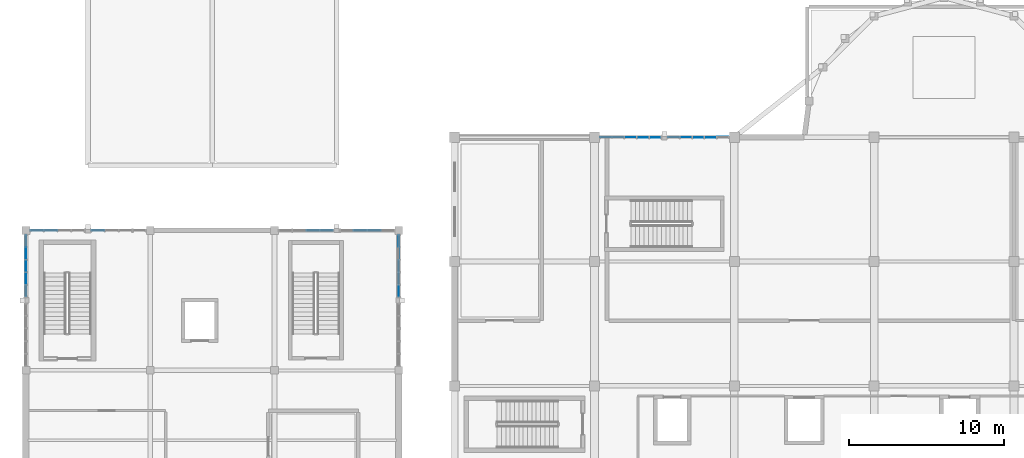
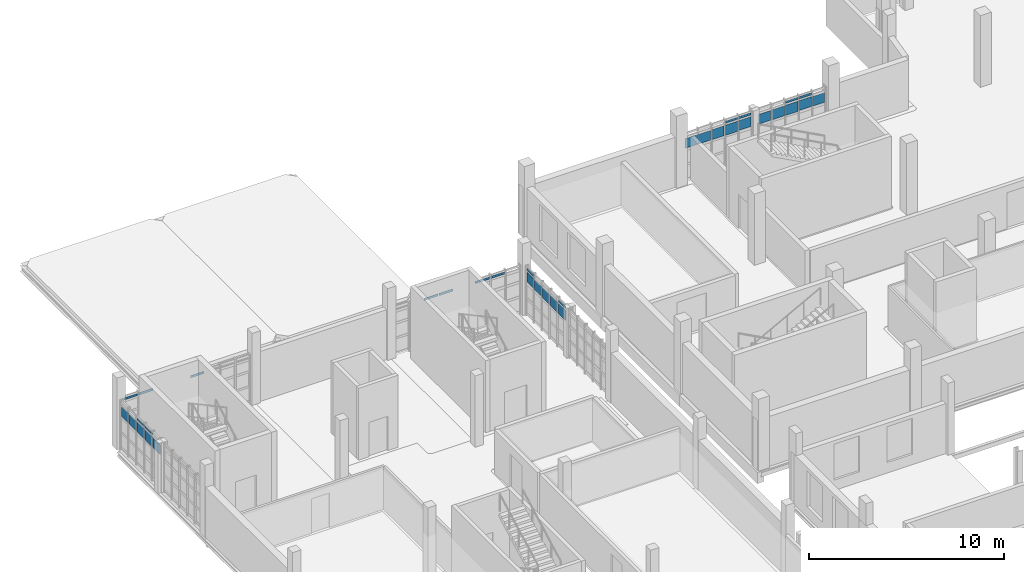
# One storey, part 97 of 125: 35 plates, 8 elements without a shape of their own.
"""IFC4 building model written with IfcOpenShell, lengths in metres."""

from ifc_helpers import new_model, si_unit, direction, frame, origin, origin_2d, place, context, subcontext, project, spatial, rectangle, extrude, material, layer, layer_set, type_object, element, aggregate, save


model = new_model("IFC4")

# Units and contexts
model_context = context("Model", 3, precision=1e-05, world=origin(), true_north=direction((0.0, 1.0)))
body_context = subcontext(model_context, "Body", "Model", "MODEL_VIEW")
ifc_project = project(units=[si_unit("LENGTHUNIT", "METRE"), si_unit("AREAUNIT", "SQUARE_METRE"), si_unit("VOLUMEUNIT", "CUBIC_METRE"), si_unit("PLANEANGLEUNIT", "RADIAN"), si_unit("MASSUNIT", "GRAM", prefix="KILO")], contexts=[model_context])

# Site, building, storey
site_placement = place(None, origin())
site = spatial("IfcSite", under=ifc_project, at=site_placement, CompositionType="ELEMENT")
building_placement = place(site_placement, origin())
building = spatial("IfcBuilding", under=site, at=building_placement, Name="Serraforn Aerial Cableway Station", CompositionType="ELEMENT")
storey_placement = place(building_placement, frame((0.0, 0.0, 4.5)))
storey = spatial("IfcBuildingStorey", under=building, at=storey_placement, Name="L01", CompositionType="ELEMENT", Elevation=4.5)

# Curtain wall, plates
ifc_material_1 = material(Name="Anodised bronze unitised curtain wall")
curtain_wall_type_1 = type_object("IfcCurtainWallType", Name="CW-SYS-19", PredefinedType="USERDEFINED", material=ifc_material_1)
curtain_wall_1_placement = place(storey_placement, origin())
curtain_wall_1 = element("IfcCurtainWall", 1, at=curtain_wall_1_placement, inside=storey, type_object=curtain_wall_type_1, Name="Unitised Curtain Wall CW-W-L01-W4A", ObjectType="UNITISED CURTAIN WALL", PredefinedType="USERDEFINED")
ifc_material_2 = material(Name="Solar-control low-E double glazing", Category="glass")
ifc_layer_1 = layer(ifc_material_2, 0.02587890625)
ifc_layer_set_1 = layer_set([ifc_layer_1], Name="Solar-control low-E double glazing")
plate_type_1 = type_object("IfcPlateType", Name="CW-GLZ-1", PredefinedType="CURTAIN_PANEL", material=ifc_layer_set_1)
plate_1_placement = place(storey_placement, frame((0.0, 33.71728515625, 2.798583984375), z_axis=(0.0, 0.0, 1.0), x_axis=(1.0, 0.0, 0.0)))
plate_1 = element("IfcPlate", 2, at=plate_1_placement, type_object=plate_type_1, Name="Curtain Wall Panel CW-W-L01-W4A-P3-4", PredefinedType="CURTAIN_PANEL", context=body_context, shape_type="SweptSolid", body=[
    extrude(rectangle(XDim=0.02587890625, YDim=0.755859375, at=origin_2d()), origin(), (0.0, 0.0, 1.0), 0.138671875),
])
plate_2_placement = place(storey_placement, frame((0.0, 32.90283203125, 2.0498046875), z_axis=(0.0, 0.0, 1.0), x_axis=(1.0, 0.0, 0.0)))
plate_2 = element("IfcPlate", 3, at=plate_2_placement, type_object=plate_type_1, Name="Curtain Wall Panel CW-W-L01-W4A-P4-3", PredefinedType="CURTAIN_PANEL", context=body_context, shape_type="SweptSolid", body=[
    extrude(rectangle(XDim=0.02587890625, YDim=0.7509765625, at=origin_2d()), origin(), (0.0, 0.0, 1.0), 0.6376953125),
])

# Curtain wall, plate
curtain_wall_type_2 = type_object("IfcCurtainWallType", Name="CW-SYS-22", PredefinedType="USERDEFINED", material=ifc_material_1)
curtain_wall_2_placement = place(storey_placement, origin())
curtain_wall_2 = element("IfcCurtainWall", 4, at=curtain_wall_2_placement, inside=storey, type_object=curtain_wall_type_2, Name="Unitised Curtain Wall CW-W-L01-E4B", ObjectType="UNITISED CURTAIN WALL", PredefinedType="USERDEFINED")
plate_3_placement = place(storey_placement, frame((24.0, 32.102294921875, 2.0498046875), z_axis=(0.0, 0.0, 1.0), x_axis=(1.0, 0.0, 0.0)))
plate_3 = element("IfcPlate", 5, at=plate_3_placement, type_object=plate_type_1, Name="Curtain Wall Panel CW-W-L01-E4B-P1-3", PredefinedType="CURTAIN_PANEL", context=body_context, shape_type="SweptSolid", body=[
    extrude(rectangle(XDim=0.02587890625, YDim=0.718505859375, at=origin_2d()), origin(), (0.0, 0.0, 1.0), 0.6376953125),
])

# Curtain wall, plates
curtain_wall_3_placement = place(storey_placement, origin())
curtain_wall_3 = element("IfcCurtainWall", 6, at=curtain_wall_3_placement, inside=storey, type_object=curtain_wall_type_1, Name="Unitised Curtain Wall CW-CV-L01-N2A", ObjectType="UNITISED CURTAIN WALL", PredefinedType="USERDEFINED")
plate_4_placement = place(storey_placement, frame((43.27978515625, 42.0, 2.8037109375), z_axis=(0.0, 0.0, 1.0), x_axis=(1.0, 0.0, 0.0)))
plate_4 = element("IfcPlate", 7, at=plate_4_placement, type_object=plate_type_1, Name="Curtain Wall Panel CW-CV-L01-N2A-P3-4", PredefinedType="CURTAIN_PANEL", context=body_context, shape_type="SweptSolid", body=[
    extrude(rectangle(XDim=0.73583984375, YDim=0.02587890625, at=origin_2d()), origin(), (0.0, 0.0, 1.0), 0.126220703125),
])
plate_5_placement = place(storey_placement, frame((42.48046875, 42.0, 2.0546875), z_axis=(0.0, 0.0, 1.0), x_axis=(1.0, 0.0, 0.0)))
plate_5 = element("IfcPlate", 8, at=plate_5_placement, type_object=plate_type_1, Name="Curtain Wall Panel CW-CV-L01-N2A-P4-3", PredefinedType="CURTAIN_PANEL", context=body_context, shape_type="SweptSolid", body=[
    extrude(rectangle(XDim=0.73095703125, YDim=0.02587890625, at=origin_2d()), origin(), (0.0, 0.0, 1.0), 0.625244140625),
])

curtain_wall_type_3 = type_object("IfcCurtainWallType", Name="CW-SYS-20", PredefinedType="USERDEFINED", material=ifc_material_1)
curtain_wall_4_placement = place(storey_placement, origin())
curtain_wall_4 = element("IfcCurtainWall", 9, at=curtain_wall_4_placement, inside=storey, type_object=curtain_wall_type_3, Name="Unitised Curtain Wall CW-CV-L01-N2B", ObjectType="UNITISED CURTAIN WALL", PredefinedType="USERDEFINED")
plate_6_placement = place(storey_placement, frame((39.72216796875, 42.0, 2.8037109375), z_axis=(0.0, 0.0, 1.0), x_axis=(1.0, 0.0, 0.0)))
plate_6 = element("IfcPlate", 10, at=plate_6_placement, type_object=plate_type_1, Name="Curtain Wall Panel CW-CV-L01-N2B-P2-4", PredefinedType="CURTAIN_PANEL", context=body_context, shape_type="SweptSolid", body=[
    extrude(rectangle(XDim=0.73583984375, YDim=0.02587890625, at=origin_2d()), origin(), (0.0, 0.0, 1.0), 0.126220703125),
])
plate_7_placement = place(storey_placement, frame((38.9228515625, 42.0, 2.0546875), z_axis=(0.0, 0.0, 1.0), x_axis=(1.0, 0.0, 0.0)))
plate_7 = element("IfcPlate", 11, at=plate_7_placement, type_object=plate_type_1, Name="Curtain Wall Panel CW-CV-L01-N2B-P3-3", PredefinedType="CURTAIN_PANEL", context=body_context, shape_type="SweptSolid", body=[
    extrude(rectangle(XDim=0.73095703125, YDim=0.02587890625, at=origin_2d()), origin(), (0.0, 0.0, 1.0), 0.625244140625),
])

# Plate
ifc_layer_2 = layer(ifc_material_2, 0.028076171875)
ifc_layer_set_2 = layer_set([ifc_layer_2], Name="Solar-control low-E double glazing")
plate_type_2 = type_object("IfcPlateType", Name="CW-GLZ-2", PredefinedType="CURTAIN_PANEL", material=ifc_layer_set_2)
plate_8_placement = place(storey_placement, frame((0.0, 32.90283203125, 2.8037109375), z_axis=(0.0, 0.0, 1.0), x_axis=(1.0, 0.0, 0.0)))
plate_8 = element("IfcPlate", 12, at=plate_8_placement, type_object=plate_type_2, Name="Curtain Wall Panel CW-W-L01-W4A-P4-4", PredefinedType="CURTAIN_PANEL", context=body_context, shape_type="SweptSolid", body=[
    extrude(rectangle(XDim=0.028076171875, YDim=0.7509765625, at=origin_2d()), origin(), (0.0, 0.0, 1.0), 0.126220703125),
])

plate_9_placement = place(storey_placement, frame((0.0, 32.107177734375, 2.0546875), z_axis=(0.0, 0.0, 1.0), x_axis=(1.0, 0.0, 0.0)))
plate_9 = element("IfcPlate", 13, at=plate_9_placement, type_object=plate_type_2, Name="Curtain Wall Panel CW-W-L01-W4A-P5-3", PredefinedType="CURTAIN_PANEL", context=body_context, shape_type="SweptSolid", body=[
    extrude(rectangle(XDim=0.028076171875, YDim=0.70849609375, at=origin_2d()), origin(), (0.0, 0.0, 1.0), 0.625244140625),
])

plate_10_placement = place(storey_placement, frame((24.0, 32.102294921875, 2.8037109375), z_axis=(0.0, 0.0, 1.0), x_axis=(1.0, 0.0, 0.0)))
plate_10 = element("IfcPlate", 14, at=plate_10_placement, type_object=plate_type_2, Name="Curtain Wall Panel CW-W-L01-E4B-P1-4", PredefinedType="CURTAIN_PANEL", context=body_context, shape_type="SweptSolid", body=[
    extrude(rectangle(XDim=0.028076171875, YDim=0.718505859375, at=origin_2d()), origin(), (0.0, 0.0, 1.0), 0.126220703125),
])

plate_11_placement = place(storey_placement, frame((24.0, 32.900390625, 2.0546875), z_axis=(0.0, 0.0, 1.0), x_axis=(1.0, 0.0, 0.0)))
plate_11 = element("IfcPlate", 15, at=plate_11_placement, type_object=plate_type_2, Name="Curtain Wall Panel CW-W-L01-E4B-P2-3", PredefinedType="CURTAIN_PANEL", context=body_context, shape_type="SweptSolid", body=[
    extrude(rectangle(XDim=0.028076171875, YDim=0.745849609375, at=origin_2d()), origin(), (0.0, 0.0, 1.0), 0.625244140625),
])

plate_12_placement = place(storey_placement, frame((41.6884765625, 42.0, 2.062255859375), z_axis=(0.0, 0.0, 1.0), x_axis=(1.0, 0.0, 0.0)))
plate_12 = element("IfcPlate", 16, at=plate_12_placement, type_object=plate_type_2, Name="Curtain Wall Panel CW-CV-L01-N2A-P5-3", PredefinedType="CURTAIN_PANEL", context=body_context, shape_type="SweptSolid", body=[
    extrude(rectangle(XDim=0.7109375, YDim=0.028076171875, at=origin_2d()), origin(), (0.0, 0.0, 1.0), 0.6103515625),
])

plate_13_placement = place(storey_placement, frame((38.1171875, 42.0, 2.062255859375), z_axis=(0.0, 0.0, 1.0), x_axis=(1.0, 0.0, 0.0)))
plate_13 = element("IfcPlate", 17, at=plate_13_placement, type_object=plate_type_2, Name="Curtain Wall Panel CW-CV-L01-N2B-P4-3", PredefinedType="CURTAIN_PANEL", context=body_context, shape_type="SweptSolid", body=[
    extrude(rectangle(XDim=0.73828125, YDim=0.028076171875, at=origin_2d()), origin(), (0.0, 0.0, 1.0), 0.6103515625),
])

ifc_layer_3 = layer(ifc_material_2, 0.030029296875)
ifc_layer_set_3 = layer_set([ifc_layer_3], Name="Solar-control low-E double glazing")
plate_type_3 = type_object("IfcPlateType", Name="CW-GLZ-3", PredefinedType="CURTAIN_PANEL", material=ifc_layer_set_3)
plate_14_placement = place(storey_placement, frame((24.0, 33.720947265625, 2.062255859375), z_axis=(0.0, 0.0, 1.0), x_axis=(1.0, 0.0, 0.0)))
plate_14 = element("IfcPlate", 18, at=plate_14_placement, type_object=plate_type_3, Name="Curtain Wall Panel CW-W-L01-E4B-P3-3", PredefinedType="CURTAIN_PANEL", context=body_context, shape_type="SweptSolid", body=[
    extrude(rectangle(XDim=0.030029296875, YDim=0.75341796875, at=origin_2d()), origin(), (0.0, 0.0, 1.0), 0.6103515625),
])

plate_15_placement = place(storey_placement, frame((37.339111328125, 42.0, 2.06982421875), z_axis=(0.0, 0.0, 1.0), x_axis=(1.0, 0.0, 0.0)))
plate_15 = element("IfcPlate", 19, at=plate_15_placement, type_object=plate_type_3, Name="Curtain Wall Panel CW-CV-L01-N2B-P5-3", PredefinedType="CURTAIN_PANEL", context=body_context, shape_type="SweptSolid", body=[
    extrude(rectangle(XDim=0.7158203125, YDim=0.030029296875, at=origin_2d()), origin(), (0.0, 0.0, 1.0), 0.59521484375),
])

# Curtain wall, plate
curtain_wall_type_4 = type_object("IfcCurtainWallType", Name="CW-SYS-13", PredefinedType="USERDEFINED", material=ifc_material_1)
curtain_wall_5_placement = place(storey_placement, origin())
curtain_wall_5 = element("IfcCurtainWall", 20, at=curtain_wall_5_placement, inside=storey, type_object=curtain_wall_type_4, Name="Unitised Curtain Wall CW-W-L01-N1A", ObjectType="UNITISED CURTAIN WALL", PredefinedType="USERDEFINED")
ifc_layer_4 = layer(ifc_material_2, 0.031982421875)
ifc_layer_set_4 = layer_set([ifc_layer_4], Name="Solar-control low-E double glazing")
plate_type_4 = type_object("IfcPlateType", Name="CW-GLZ-4", PredefinedType="CURTAIN_PANEL", material=ifc_layer_set_4)
plate_16_placement = place(storey_placement, frame((4.64404296875, 36.0, 2.798583984375), z_axis=(0.0, 0.0, 1.0), x_axis=(1.0, 0.0, 0.0)))
plate_16 = element("IfcPlate", 21, at=plate_16_placement, type_object=plate_type_4, Name="Curtain Wall Panel CW-W-L01-N1A-P4-4", PredefinedType="CURTAIN_PANEL", context=body_context, shape_type="SweptSolid", body=[
    extrude(rectangle(XDim=0.802001953125, YDim=0.031982421875, at=origin_2d()), origin(), (0.0, 0.0, 1.0), 0.138671875),
])
aggregate(curtain_wall_5, [plate_16])

curtain_wall_type_5 = type_object("IfcCurtainWallType", Name="CW-SYS-14", PredefinedType="USERDEFINED", material=ifc_material_1)
curtain_wall_6_placement = place(storey_placement, origin())
curtain_wall_6 = element("IfcCurtainWall", 22, at=curtain_wall_6_placement, inside=storey, type_object=curtain_wall_type_5, Name="Unitised Curtain Wall CW-W-L01-N1B", ObjectType="UNITISED CURTAIN WALL", PredefinedType="USERDEFINED")
plate_17_placement = place(storey_placement, frame((1.588623046875, 36.0, 2.798583984375), z_axis=(0.0, 0.0, 1.0), x_axis=(1.0, 0.0, 0.0)))
plate_17 = element("IfcPlate", 23, at=plate_17_placement, type_object=plate_type_4, Name="Curtain Wall Panel CW-W-L01-N1B-P3-4", PredefinedType="CURTAIN_PANEL", context=body_context, shape_type="SweptSolid", body=[
    extrude(rectangle(XDim=0.83447265625, YDim=0.031982421875, at=origin_2d()), origin(), (0.0, 0.0, 1.0), 0.138671875),
])

curtain_wall_type_6 = type_object("IfcCurtainWallType", Name="CW-SYS-15", PredefinedType="USERDEFINED", material=ifc_material_1)
curtain_wall_7_placement = place(storey_placement, origin())
curtain_wall_7 = element("IfcCurtainWall", 24, at=curtain_wall_7_placement, inside=storey, type_object=curtain_wall_type_6, Name="Unitised Curtain Wall CW-W-L01-N3A", ObjectType="UNITISED CURTAIN WALL", PredefinedType="USERDEFINED")
plate_18_placement = place(storey_placement, frame((22.413818359375, 36.0, 2.798583984375), z_axis=(0.0, 0.0, 1.0), x_axis=(1.0, 0.0, 0.0)))
plate_18 = element("IfcPlate", 25, at=plate_18_placement, type_object=plate_type_4, Name="Curtain Wall Panel CW-W-L01-N3A-P2-4", PredefinedType="CURTAIN_PANEL", context=body_context, shape_type="SweptSolid", body=[
    extrude(rectangle(XDim=0.83447265625, YDim=0.031982421875, at=origin_2d()), origin(), (0.0, 0.0, 1.0), 0.138671875),
])

curtain_wall_type_7 = type_object("IfcCurtainWallType", Name="CW-SYS-16", PredefinedType="USERDEFINED", material=ifc_material_1)
curtain_wall_8_placement = place(storey_placement, origin())
curtain_wall_8 = element("IfcCurtainWall", 26, at=curtain_wall_8_placement, inside=storey, type_object=curtain_wall_type_7, Name="Unitised Curtain Wall CW-W-L01-N3B", ObjectType="UNITISED CURTAIN WALL", PredefinedType="USERDEFINED")
plate_19_placement = place(storey_placement, frame((19.35986328125, 36.0, 2.798583984375), z_axis=(0.0, 0.0, 1.0), x_axis=(1.0, 0.0, 0.0)))
plate_19 = element("IfcPlate", 27, at=plate_19_placement, type_object=plate_type_4, Name="Curtain Wall Panel CW-W-L01-N3B-P1-4", PredefinedType="CURTAIN_PANEL", context=body_context, shape_type="SweptSolid", body=[
    extrude(rectangle(XDim=0.804443359375, YDim=0.031982421875, at=origin_2d()), origin(), (0.0, 0.0, 1.0), 0.138671875),
])

# Plate
plate_20_placement = place(storey_placement, frame((24.0, 34.529296875, 2.06982421875), z_axis=(0.0, 0.0, 1.0), x_axis=(1.0, 0.0, 0.0)))
plate_20 = element("IfcPlate", 28, at=plate_20_placement, type_object=plate_type_4, Name="Curtain Wall Panel CW-W-L01-E4B-P4-3", PredefinedType="CURTAIN_PANEL", context=body_context, shape_type="SweptSolid", body=[
    extrude(rectangle(XDim=0.031982421875, YDim=0.760986328125, at=origin_2d()), origin(), (0.0, 0.0, 1.0), 0.59521484375),
])

ifc_layer_5 = layer(ifc_material_2, 0.033935546875)
ifc_layer_set_5 = layer_set([ifc_layer_5], Name="Solar-control low-E double glazing")
plate_type_5 = type_object("IfcPlateType", Name="CW-GLZ-5", PredefinedType="CURTAIN_PANEL", material=ifc_layer_set_5)
plate_21_placement = place(storey_placement, frame((0.713134765625, 36.0, 2.8037109375), z_axis=(0.0, 0.0, 1.0), x_axis=(1.0, 0.0, 0.0)))
plate_21 = element("IfcPlate", 29, at=plate_21_placement, type_object=plate_type_5, Name="Curtain Wall Panel CW-W-L01-N1B-P4-4", PredefinedType="CURTAIN_PANEL", context=body_context, shape_type="SweptSolid", body=[
    extrude(rectangle(XDim=0.79443359375, YDim=0.033935546875, at=origin_2d()), origin(), (0.0, 0.0, 1.0), 0.126220703125),
])

aggregate(curtain_wall_6, [plate_17, plate_21])

plate_22_placement = place(storey_placement, frame((21.520751953125, 36.0, 2.8037109375), z_axis=(0.0, 0.0, 1.0), x_axis=(1.0, 0.0, 0.0)))
plate_22 = element("IfcPlate", 30, at=plate_22_placement, type_object=plate_type_5, Name="Curtain Wall Panel CW-W-L01-N3A-P3-4", PredefinedType="CURTAIN_PANEL", context=body_context, shape_type="SweptSolid", body=[
    extrude(rectangle(XDim=0.82958984375, YDim=0.033935546875, at=origin_2d()), origin(), (0.0, 0.0, 1.0), 0.126220703125),
])

aggregate(curtain_wall_7, [plate_18, plate_22])

plate_23_placement = place(storey_placement, frame((18.481689453125, 36.0, 2.8037109375), z_axis=(0.0, 0.0, 1.0), x_axis=(1.0, 0.0, 0.0)))
plate_23 = element("IfcPlate", 31, at=plate_23_placement, type_object=plate_type_5, Name="Curtain Wall Panel CW-W-L01-N3B-P2-4", PredefinedType="CURTAIN_PANEL", context=body_context, shape_type="SweptSolid", body=[
    extrude(rectangle(XDim=0.82958984375, YDim=0.033935546875, at=origin_2d()), origin(), (0.0, 0.0, 1.0), 0.126220703125),
])

aggregate(curtain_wall_8, [plate_19, plate_23])

plate_24_placement = place(storey_placement, frame((24.0, 35.327392578125, 2.077392578125), z_axis=(0.0, 0.0, 1.0), x_axis=(1.0, 0.0, 0.0)))
plate_24 = element("IfcPlate", 32, at=plate_24_placement, type_object=plate_type_5, Name="Curtain Wall Panel CW-W-L01-E4B-P5-3", PredefinedType="CURTAIN_PANEL", context=body_context, shape_type="SweptSolid", body=[
    extrude(rectangle(XDim=0.033935546875, YDim=0.723388671875, at=origin_2d()), origin(), (0.0, 0.0, 1.0), 0.615234375),
])

ifc_layer_6 = layer(ifc_material_2, 0.035888671875)
ifc_layer_set_6 = layer_set([ifc_layer_6], Name="Solar-control low-E double glazing")
plate_type_6 = type_object("IfcPlateType", Name="CW-GLZ-6", PredefinedType="CURTAIN_PANEL", material=ifc_layer_set_6)
plate_25_placement = place(storey_placement, frame((0.0, 35.321044921875, 2.062255859375), z_axis=(0.0, 0.0, 1.0), x_axis=(1.0, 0.0, 0.0)))
plate_25 = element("IfcPlate", 33, at=plate_25_placement, type_object=plate_type_6, Name="Curtain Wall Panel CW-W-L01-W4A-P1-3", PredefinedType="CURTAIN_PANEL", context=body_context, shape_type="SweptSolid", body=[
    extrude(rectangle(XDim=0.035888671875, YDim=0.7158203125, at=origin_2d()), origin(), (0.0, 0.0, 1.0), 0.6103515625),
])

plate_26_placement = place(storey_placement, frame((24.0, 35.327392578125, 2.798583984375), z_axis=(0.0, 0.0, 1.0), x_axis=(1.0, 0.0, 0.0)))
plate_26 = element("IfcPlate", 34, at=plate_26_placement, type_object=plate_type_6, Name="Curtain Wall Panel CW-W-L01-E4B-P5-4", PredefinedType="CURTAIN_PANEL", context=body_context, shape_type="SweptSolid", body=[
    extrude(rectangle(XDim=0.035888671875, YDim=0.723388671875, at=origin_2d()), origin(), (0.0, 0.0, 1.0), 0.138671875),
])

aggregate(curtain_wall_2, [plate_3, plate_10, plate_11, plate_14, plate_20, plate_24, plate_26])

plate_27_placement = place(storey_placement, frame((44.86474609375, 42.0, 2.06982421875), z_axis=(0.0, 0.0, 1.0), x_axis=(1.0, 0.0, 0.0)))
plate_27 = element("IfcPlate", 35, at=plate_27_placement, type_object=plate_type_6, Name="Curtain Wall Panel CW-CV-L01-N2A-P1-3", PredefinedType="CURTAIN_PANEL", context=body_context, shape_type="SweptSolid", body=[
    extrude(rectangle(XDim=0.718505859375, YDim=0.035888671875, at=origin_2d()), origin(), (0.0, 0.0, 1.0), 0.59521484375),
])

ifc_layer_7 = layer(ifc_material_2, 0.029052734375)
ifc_layer_set_7 = layer_set([ifc_layer_7], Name="Solar-control low-E double glazing")
plate_type_7 = type_object("IfcPlateType", Name="CW-GLZ-7", PredefinedType="CURTAIN_PANEL", material=ifc_layer_set_7)
plate_28_placement = place(storey_placement, frame((0.0, 34.531494140625, 2.06982421875), z_axis=(0.0, 0.0, 1.0), x_axis=(1.0, 0.0, 0.0)))
plate_28 = element("IfcPlate", 36, at=plate_28_placement, type_object=plate_type_7, Name="Curtain Wall Panel CW-W-L01-W4A-P2-3", PredefinedType="CURTAIN_PANEL", context=body_context, shape_type="SweptSolid", body=[
    extrude(rectangle(XDim=0.029052734375, YDim=0.760986328125, at=origin_2d()), origin(), (0.0, 0.0, 1.0), 0.59521484375),
])

plate_29_placement = place(storey_placement, frame((44.0791015625, 42.0, 2.077392578125), z_axis=(0.0, 0.0, 1.0), x_axis=(1.0, 0.0, 0.0)))
plate_29 = element("IfcPlate", 37, at=plate_29_placement, type_object=plate_type_7, Name="Curtain Wall Panel CW-CV-L01-N2A-P2-3", PredefinedType="CURTAIN_PANEL", context=body_context, shape_type="SweptSolid", body=[
    extrude(rectangle(XDim=0.740966796875, YDim=0.029052734375, at=origin_2d()), origin(), (0.0, 0.0, 1.0), 0.615234375),
])

plate_30_placement = place(storey_placement, frame((40.506591796875, 42.0, 2.077392578125), z_axis=(0.0, 0.0, 1.0), x_axis=(1.0, 0.0, 0.0)))
plate_30 = element("IfcPlate", 38, at=plate_30_placement, type_object=plate_type_7, Name="Curtain Wall Panel CW-CV-L01-N2B-P1-3", PredefinedType="CURTAIN_PANEL", context=body_context, shape_type="SweptSolid", body=[
    extrude(rectangle(XDim=0.7109375, YDim=0.029052734375, at=origin_2d()), origin(), (0.0, 0.0, 1.0), 0.615234375),
])

ifc_layer_8 = layer(ifc_material_2, 0.031005859375)
ifc_layer_set_8 = layer_set([ifc_layer_8], Name="Solar-control low-E double glazing")
plate_type_8 = type_object("IfcPlateType", Name="CW-GLZ-8", PredefinedType="CURTAIN_PANEL", material=ifc_layer_set_8)
plate_31_placement = place(storey_placement, frame((0.0, 33.71728515625, 2.077392578125), z_axis=(0.0, 0.0, 1.0), x_axis=(1.0, 0.0, 0.0)))
plate_31 = element("IfcPlate", 39, at=plate_31_placement, type_object=plate_type_8, Name="Curtain Wall Panel CW-W-L01-W4A-P3-3", PredefinedType="CURTAIN_PANEL", context=body_context, shape_type="SweptSolid", body=[
    extrude(rectangle(XDim=0.031005859375, YDim=0.755859375, at=origin_2d()), origin(), (0.0, 0.0, 1.0), 0.615234375),
])

aggregate(curtain_wall_1, [plate_25, plate_28, plate_31, plate_1, plate_2, plate_8, plate_9])

plate_32_placement = place(storey_placement, frame((44.0791015625, 42.0, 2.798583984375), z_axis=(0.0, 0.0, 1.0), x_axis=(1.0, 0.0, 0.0)))
plate_32 = element("IfcPlate", 40, at=plate_32_placement, type_object=plate_type_8, Name="Curtain Wall Panel CW-CV-L01-N2A-P2-4", PredefinedType="CURTAIN_PANEL", context=body_context, shape_type="SweptSolid", body=[
    extrude(rectangle(XDim=0.740966796875, YDim=0.031005859375, at=origin_2d()), origin(), (0.0, 0.0, 1.0), 0.138671875),
])

plate_33_placement = place(storey_placement, frame((43.27978515625, 42.0, 2.0498046875), z_axis=(0.0, 0.0, 1.0), x_axis=(1.0, 0.0, 0.0)))
plate_33 = element("IfcPlate", 41, at=plate_33_placement, type_object=plate_type_8, Name="Curtain Wall Panel CW-CV-L01-N2A-P3-3", PredefinedType="CURTAIN_PANEL", context=body_context, shape_type="SweptSolid", body=[
    extrude(rectangle(XDim=0.73583984375, YDim=0.031005859375, at=origin_2d()), origin(), (0.0, 0.0, 1.0), 0.6376953125),
])

aggregate(curtain_wall_3, [plate_27, plate_29, plate_32, plate_33, plate_4, plate_5, plate_12])

plate_34_placement = place(storey_placement, frame((40.506591796875, 42.0, 2.798583984375), z_axis=(0.0, 0.0, 1.0), x_axis=(1.0, 0.0, 0.0)))
plate_34 = element("IfcPlate", 42, at=plate_34_placement, type_object=plate_type_8, Name="Curtain Wall Panel CW-CV-L01-N2B-P1-4", PredefinedType="CURTAIN_PANEL", context=body_context, shape_type="SweptSolid", body=[
    extrude(rectangle(XDim=0.7109375, YDim=0.031005859375, at=origin_2d()), origin(), (0.0, 0.0, 1.0), 0.138671875),
])

plate_35_placement = place(storey_placement, frame((39.72216796875, 42.0, 2.0498046875), z_axis=(0.0, 0.0, 1.0), x_axis=(1.0, 0.0, 0.0)))
plate_35 = element("IfcPlate", 43, at=plate_35_placement, type_object=plate_type_8, Name="Curtain Wall Panel CW-CV-L01-N2B-P2-3", PredefinedType="CURTAIN_PANEL", context=body_context, shape_type="SweptSolid", body=[
    extrude(rectangle(XDim=0.73583984375, YDim=0.031005859375, at=origin_2d()), origin(), (0.0, 0.0, 1.0), 0.6376953125),
])

aggregate(curtain_wall_4, [plate_30, plate_34, plate_35, plate_6, plate_7, plate_13, plate_15])

save(model, "model.ifc")
